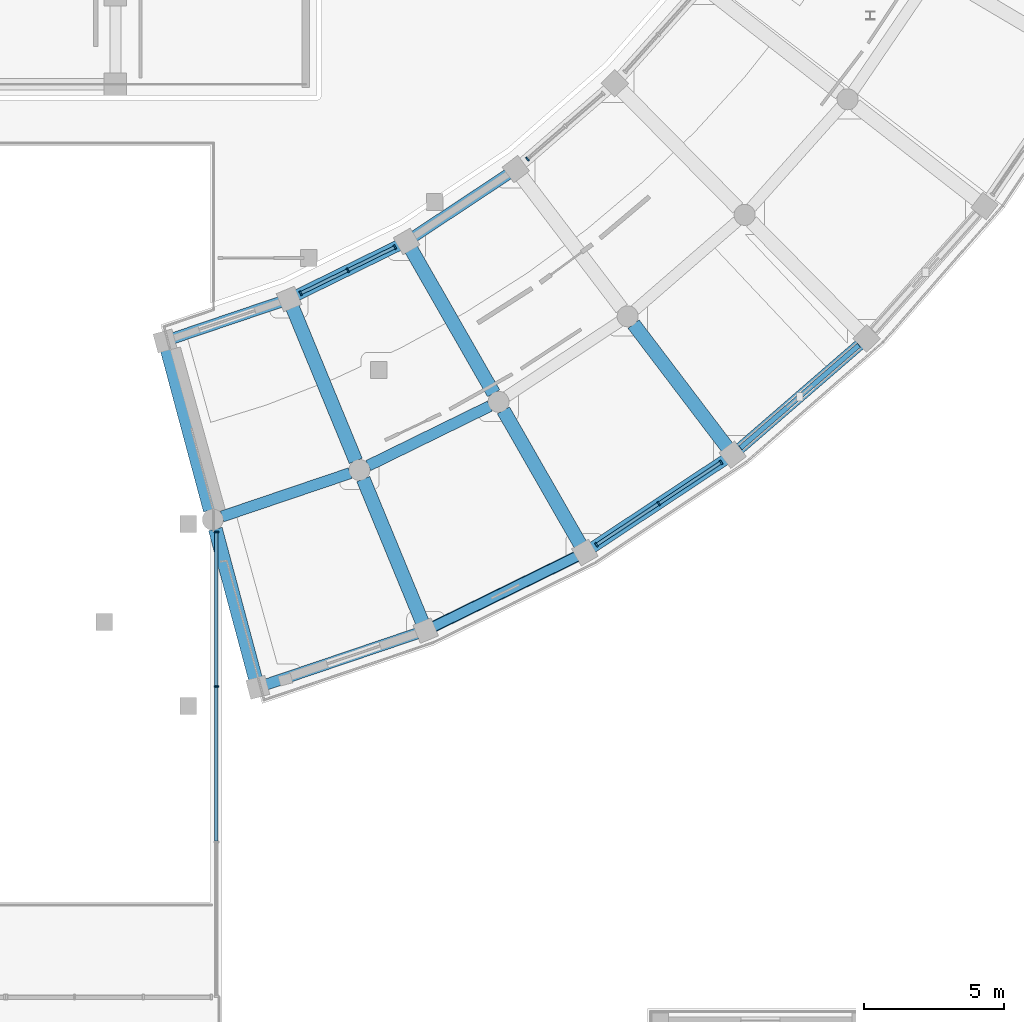
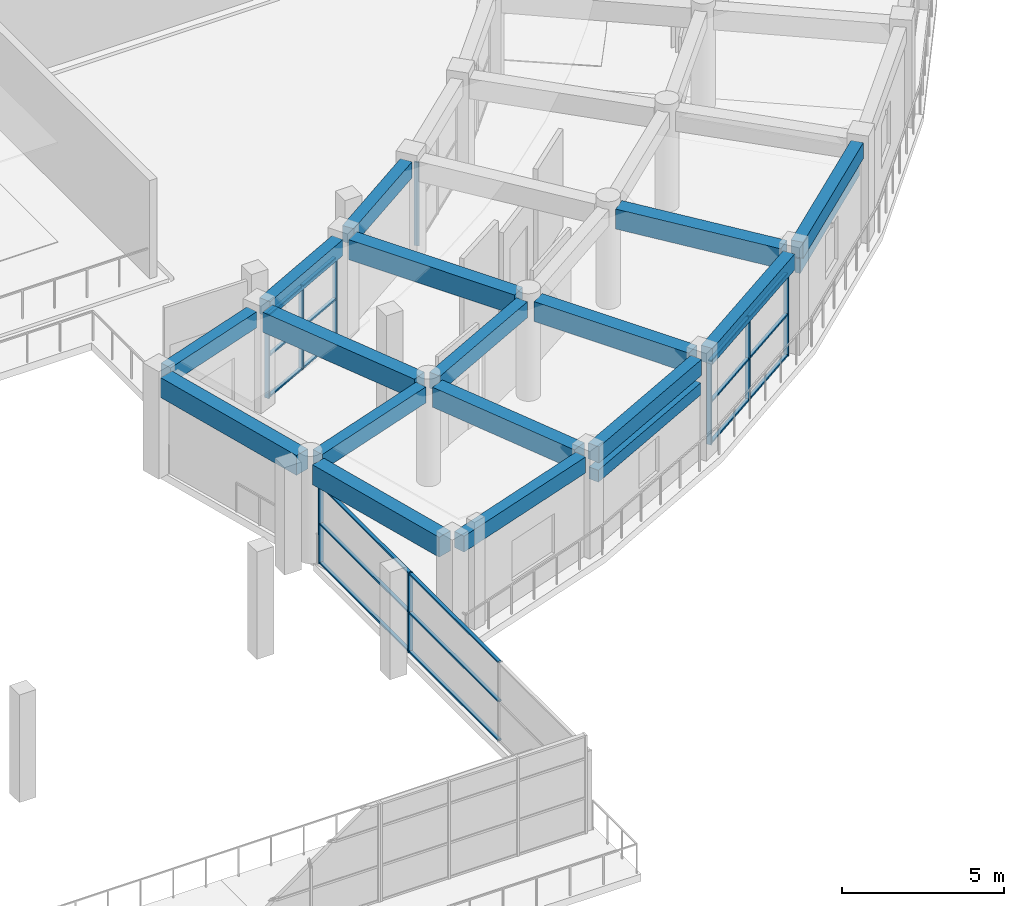
# One storey, part 22 of 87: 28 members, 17 beams, 4 elements without a shape of their own.
"""IFC4 building model written with IfcOpenShell, lengths in metres."""

import ifcopenshell
import ifcopenshell.guid

model = None  # the IFC model being written
_history = None  # IfcOwnerHistory: only IFC2X3 demands one
_inside = {}  # id of a spatial element -> (the spatial element, [elements in it])
_under = {}  # id of a project, library or spatial element -> (it, [spatial elements below it])
_declared = {}  # id of a project -> (the project, [libraries it declares])
_typed = {}  # id of a type object -> (the type object, [elements of that type])
_made_of = {}  # id of a material, layer set ... -> (it, [elements and type objects made of it])


def new_model(schema):
    """Start an empty IFC model of exactly this schema.

    Asked for "IFC4X3", IfcOpenShell would pick the latest addendum, in which some entities
    have other attributes; the version numbers below select the first issue.
    IFC2X3 requires an IfcOwnerHistory on every rooted entity: one is made here for all.
    """
    global model, _history
    if schema == "IFC4X3":
        model = ifcopenshell.file(schema_version=(4, 3, 0, 0))
    else:
        model = ifcopenshell.file(schema=schema)
    _inside.clear()
    _under.clear()
    _declared.clear()
    _typed.clear()
    _made_of.clear()
    _history = None
    if model.schema == "IFC2X3":
        org = make("IfcOrganization", Name="unknown")
        user = make(
            "IfcPersonAndOrganization",
            ThePerson=make("IfcPerson", FamilyName="unknown"),
            TheOrganization=org,
        )
        app = make(
            "IfcApplication",
            ApplicationDeveloper=org,
            Version="unknown",
            ApplicationFullName="unknown",
            ApplicationIdentifier="unknown",
        )
        _history = make(
            "IfcOwnerHistory",
            OwningUser=user,
            OwningApplication=app,
            ChangeAction="ADDED",
            CreationDate=0,
        )
    return model


def make(cls, **values):
    """One entity of the class cls with the attributes given. An attribute that is None is left unset."""
    return model.create_entity(
        cls, **{name: value for name, value in values.items() if value is not None}
    )


def rooted(cls, **values):
    """An entity with a GlobalId (a new one), such as an element, a storey or a relation."""
    return make(cls, GlobalId=ifcopenshell.guid.new(), OwnerHistory=_history, **values)


def si_unit(unit_type, name, prefix=None):
    """IfcSIUnit, for example si_unit("LENGTHUNIT", "METRE", prefix="MILLI")."""
    return make("IfcSIUnit", UnitType=unit_type, Prefix=prefix, Name=name)


def assignment(units):
    """IfcUnitAssignment: the units of a project."""
    return None if units is None else make("IfcUnitAssignment", Units=units)


def point(xyz):
    """IfcCartesianPoint."""
    return None if xyz is None else make("IfcCartesianPoint", Coordinates=xyz)


def direction(xyz):
    """IfcDirection."""
    return None if xyz is None else make("IfcDirection", DirectionRatios=xyz)


def frame(location, z_axis=None, x_axis=None):
    """IfcAxis2Placement3D, a coordinate frame: its origin and axes. An axis left out is left unset."""
    return make(
        "IfcAxis2Placement3D",
        Location=point(location),
        Axis=direction(z_axis),
        RefDirection=direction(x_axis),
    )


def frame_2d(location, x_axis=None):
    """IfcAxis2Placement2D, a coordinate frame in the plane: its origin and x axis."""
    return make(
        "IfcAxis2Placement2D", Location=point(location), RefDirection=direction(x_axis)
    )


def origin():
    """The frame at (0, 0, 0) with its axes left unset."""
    return frame((0.0, 0.0, 0.0))


def origin_2d():
    """The frame at (0, 0) in the plane with its x axis left unset."""
    return frame_2d((0.0, 0.0))


def place(relative_to, where):
    """IfcLocalPlacement: puts the frame where relative to a parent placement (None: the world)."""
    return make(
        "IfcLocalPlacement", PlacementRelTo=relative_to, RelativePlacement=where
    )


def context(
    kind, dimensions, precision=None, world=None, true_north=None, identifier=None
):
    """IfcGeometricRepresentationContext, for example the 3D "Model" context."""
    return make(
        "IfcGeometricRepresentationContext",
        ContextIdentifier=identifier,
        ContextType=kind,
        CoordinateSpaceDimension=dimensions,
        Precision=precision,
        WorldCoordinateSystem=world,
        TrueNorth=true_north,
    )


def subcontext(parent, identifier, kind, view, scale=None):
    """IfcGeometricRepresentationSubContext, for example "Body" below "Model"."""
    return make(
        "IfcGeometricRepresentationSubContext",
        ContextIdentifier=identifier,
        ContextType=kind,
        ParentContext=parent,
        TargetScale=scale,
        TargetView=view,
    )


def project(units=None, contexts=None):
    """IfcProject with its units and contexts."""
    return rooted(
        "IfcProject",
        Name="project",
        RepresentationContexts=contexts,
        UnitsInContext=assignment(units),
    )


def spatial(cls, under=None, at=None, **own):
    """A site, building, storey or space (cls), placed at a placement, below another one or the project."""
    s = rooted(cls, ObjectPlacement=at, **own)
    if under is not None:
        _under.setdefault(under.id(), (under, []))[1].append(s)
    return s


def profile(cls, at=None, kind="AREA", **sizes):
    """A parametric profile (cls). Its sizes go by their IFC names, for example OverallWidth=200.0."""
    return make(cls, ProfileType=kind, Position=at, **sizes)


def rectangle(**sizes):
    """IfcRectangleProfileDef."""
    return profile("IfcRectangleProfileDef", **sizes)


def extrude(swept, where, along, depth):
    """IfcExtrudedAreaSolid: the profile swept, set in the frame where, extruded along a direction by depth."""
    return make(
        "IfcExtrudedAreaSolid",
        SweptArea=swept,
        Position=where,
        ExtrudedDirection=direction(along),
        Depth=depth,
    )


def shape(context_of_items, identifier, shape_type, items):
    """IfcShapeRepresentation: the items that make up one representation, for example the "Body"."""
    return make(
        "IfcShapeRepresentation",
        ContextOfItems=context_of_items,
        RepresentationIdentifier=identifier,
        RepresentationType=shape_type,
        Items=items,
    )


def material(Name=None, Category=None):
    """IfcMaterial."""
    return make("IfcMaterial", Name=Name, Category=Category)


def material_profile(
    of_material, cross_section, Name=None, Category=None, Priority=None
):
    """IfcMaterialProfile: a cross section and its material."""
    return make(
        "IfcMaterialProfile",
        Name=Name,
        Material=of_material,
        Profile=cross_section,
        Priority=Priority,
        Category=Category,
    )


def profile_set(profiles, Name=None, composite=None):
    """IfcMaterialProfileSet."""
    return make(
        "IfcMaterialProfileSet",
        Name=Name,
        MaterialProfiles=profiles,
        CompositeProfile=composite,
    )


def made_of(thing, what):
    """Note that an element or type object is made of a material, layer set ...; save() writes the relation."""
    if what is not None:
        _made_of.setdefault(what.id(), (what, []))[1].append(thing)
    return thing


def type_object(cls, material=None, **own):
    """A type object (cls), such as IfcWallType, which elements share."""
    return made_of(rooted(cls, **own), material)


def element(
    cls,
    number,
    at=None,
    inside=None,
    cuts=None,
    type_object=None,
    material=None,
    context=None,
    identifier="Body",
    shape_type=None,
    held_by="IfcProductDefinitionShape",
    body=None,
    shapes=None,
    **own,
):
    """One element of the class cls, such as IfcWall. Its Tag is "e" and its number.

    at: its placement. inside: the storey or other place that contains it. cuts: it is an
    opening in that element (IfcRelVoidsElement). A single representation is given by context,
    identifier, shape_type and body (its items); several are given by shapes. held_by: the class
    of the entity that holds the representations. save() writes the other relations.
    """
    e = rooted(cls, Tag="e%d" % number, ObjectPlacement=at, **own)
    if body is not None:
        shapes = [shape(context, identifier, shape_type, body)]
    if shapes is not None:
        e.Representation = make(held_by, Representations=shapes)
    if inside is not None:
        _inside.setdefault(inside.id(), (inside, []))[1].append(e)
    if cuts is not None:
        rooted(
            "IfcRelVoidsElement", RelatingBuildingElement=cuts, RelatedOpeningElement=e
        )
    if type_object is not None:
        _typed.setdefault(type_object.id(), (type_object, []))[1].append(e)
    return made_of(e, material)


def aggregate(whole, parts):
    """IfcRelAggregates: a whole, such as a stair, and the parts it consists of."""
    return rooted("IfcRelAggregates", RelatingObject=whole, RelatedObjects=parts)


def save(model, path):
    """Write the relations noted so far, then the file.

    IfcRelAggregates (storeys below a building ...), IfcRelContainedInSpatialStructure (elements
    in a storey), IfcRelDefinesByType, IfcRelAssociatesMaterial and IfcRelDeclares: one each for
    every whole, place, type object, material and project.
    """
    for whole, parts in _under.values():
        aggregate(whole, parts)
    for where, things in _inside.values():
        rooted(
            "IfcRelContainedInSpatialStructure",
            RelatedElements=things,
            RelatingStructure=where,
        )
    for kind, things in _typed.values():
        rooted("IfcRelDefinesByType", RelatedObjects=things, RelatingType=kind)
    for what, things in _made_of.values():
        rooted("IfcRelAssociatesMaterial", RelatedObjects=things, RelatingMaterial=what)
    for by, libraries in _declared.values():
        rooted("IfcRelDeclares", RelatingContext=by, RelatedDefinitions=libraries)
    model.write(path)


model = new_model("IFC4")

# Units and contexts
model_context = context("Model", 3, precision=1e-05, world=origin(), true_north=direction((0.0, 1.0)))
body_context = subcontext(model_context, "Body", "Model", "MODEL_VIEW")
ifc_project = project(units=[si_unit("LENGTHUNIT", "METRE"), si_unit("AREAUNIT", "SQUARE_METRE"), si_unit("VOLUMEUNIT", "CUBIC_METRE"), si_unit("PLANEANGLEUNIT", "RADIAN"), si_unit("MASSUNIT", "GRAM", prefix="KILO")], contexts=[model_context])

# Site, building, storey
site_placement = place(None, origin())
site = spatial("IfcSite", under=ifc_project, at=site_placement, CompositionType="ELEMENT")
building_placement = place(site_placement, origin())
building = spatial("IfcBuilding", under=site, at=building_placement, Name="Saryqyr Civic Hall", CompositionType="ELEMENT")
storey_placement = place(building_placement, frame((0.0, 0.0, 5.10009765625)))
storey = spatial("IfcBuildingStorey", under=building, at=storey_placement, Name="L01", CompositionType="ELEMENT", Elevation=5.10009765625)

# Curtain wall, members
ifc_material_1 = material(Name="Anodised aluminium and triple low-E glass", Category="aluminium")
curtain_wall_type_1 = type_object("IfcCurtainWallType", Name="ENV-CW-STD-20", PredefinedType="NOTDEFINED", material=ifc_material_1)
curtain_wall_1_placement = place(storey_placement, origin())
curtain_wall_1 = element("IfcCurtainWall", 1, at=curtain_wall_1_placement, inside=storey, type_object=curtain_wall_type_1, Name="Curtain wall V5-CWI-L01-01", PredefinedType="NOTDEFINED")
ifc_material_2 = material(Name="Anodised aluminium", Category="aluminium")
ifc_material_profile_1 = material_profile(ifc_material_2, rectangle(XDim=0.06005859375, YDim=0.159912109375, at=origin_2d()), Name="ALU MULLION 60x160")
ifc_profile_set_1 = profile_set([ifc_material_profile_1], Name="Anodised aluminium")
member_type_1 = type_object("IfcMemberType", Name="ENV-CW-MUL-180", PredefinedType="MULLION", material=ifc_profile_set_1)
member_1_placement = place(storey_placement, frame((71.214599609375, 50.73681640625, 0.0), z_axis=(0.0, 0.0, 1.0), x_axis=(0.897961027851, 0.440074985043, 0.0)))
member_1 = element("IfcMember", 2, at=member_1_placement, type_object=member_type_1, Name="CW-20 mullion 1", PredefinedType="MULLION", context=body_context, shape_type="SweptSolid", body=[
    extrude(rectangle(XDim=0.06005859375, YDim=0.159912109375, at=origin_2d()), origin(), (0.0, 0.0, 1.0), 3.14501953125),
])
member_2_placement = place(storey_placement, frame((72.896728515625, 51.561279296875, 0.0), z_axis=(0.0, 0.0, 1.0), x_axis=(0.897961027851, 0.440074985043, 0.0)))
member_2 = element("IfcMember", 3, at=member_2_placement, type_object=member_type_1, Name="CW-20 mullion 2", PredefinedType="MULLION", context=body_context, shape_type="SweptSolid", body=[
    extrude(rectangle(XDim=0.06005859375, YDim=0.159912109375, at=origin_2d()), origin(), (0.0, 0.0, 1.0), 3.14501953125),
])
member_3_placement = place(storey_placement, frame((74.578857421875, 52.3857421875, 0.0), z_axis=(0.0, 0.0, 1.0), x_axis=(0.897961027851, 0.440074985043, 0.0)))
member_3 = element("IfcMember", 4, at=member_3_placement, type_object=member_type_1, Name="CW-20 mullion 3", PredefinedType="MULLION", context=body_context, shape_type="SweptSolid", body=[
    extrude(rectangle(XDim=0.06005859375, YDim=0.159912109375, at=origin_2d()), origin(), (0.0, 0.0, 1.0), 3.14501953125),
])

curtain_wall_type_2 = type_object("IfcCurtainWallType", Name="ENV-CW-STD-36", PredefinedType="NOTDEFINED", material=ifc_material_1)
curtain_wall_2_placement = place(storey_placement, origin())
curtain_wall_2 = element("IfcCurtainWall", 5, at=curtain_wall_2_placement, inside=storey, type_object=curtain_wall_type_2, Name="Curtain wall V5-CWO-L01-02", PredefinedType="NOTDEFINED")
member_4_placement = place(storey_placement, frame((86.220703125, 44.702880859375, 0.0), z_axis=(0.0, 0.0, 1.0), x_axis=(-0.833772163612, -0.552108666103, 0.0)))
member_4 = element("IfcMember", 6, at=member_4_placement, type_object=member_type_1, Name="CW-36 mullion 1", PredefinedType="MULLION", context=body_context, shape_type="SweptSolid", body=[
    extrude(rectangle(XDim=0.06005859375, YDim=0.159912109375, at=origin_2d()), origin(), (0.0, 0.0, 1.0), 3.14501953125),
])
member_5_placement = place(storey_placement, frame((83.997314453125, 43.230712890625, 0.0), z_axis=(0.0, 0.0, 1.0), x_axis=(-0.833772163612, -0.552108666103, 0.0)))
member_5 = element("IfcMember", 7, at=member_5_placement, type_object=member_type_1, Name="CW-36 mullion 2", PredefinedType="MULLION", context=body_context, shape_type="SweptSolid", body=[
    extrude(rectangle(XDim=0.06005859375, YDim=0.159912109375, at=origin_2d()), origin(), (0.0, 0.0, 1.0), 3.14501953125),
])
member_6_placement = place(storey_placement, frame((81.774169921875, 41.758544921875, 0.0), z_axis=(0.0, 0.0, 1.0), x_axis=(-0.833772163612, -0.552108666103, 0.0)))
member_6 = element("IfcMember", 8, at=member_6_placement, type_object=member_type_1, Name="CW-36 mullion 3", PredefinedType="MULLION", context=body_context, shape_type="SweptSolid", body=[
    extrude(rectangle(XDim=0.06005859375, YDim=0.159912109375, at=origin_2d()), origin(), (0.0, 0.0, 1.0), 3.14501953125),
])

# Curtain wall, member
curtain_wall_type_3 = type_object("IfcCurtainWallType", Name="ENV-CW-STD-37", PredefinedType="NOTDEFINED", material=ifc_material_1)
curtain_wall_3_placement = place(storey_placement, origin())
curtain_wall_3 = element("IfcCurtainWall", 9, at=curtain_wall_3_placement, inside=storey, type_object=curtain_wall_type_3, Name="Curtain wall V5-CWI-L01-03", PredefinedType="NOTDEFINED")
member_7_placement = place(storey_placement, frame((79.306640625, 55.529052734375, 0.0), z_axis=(0.0, 0.0, 1.0), x_axis=(0.755641079995, 0.654985922157, 0.0)))
member_7 = element("IfcMember", 10, at=member_7_placement, type_object=member_type_1, Name="CW-37 mullion 1", PredefinedType="MULLION", context=body_context, shape_type="SweptSolid", body=[
    extrude(rectangle(XDim=0.06005859375, YDim=0.159912109375, at=origin_2d()), origin(), (0.0, 0.0, 1.0), 3.14501953125),
])
aggregate(curtain_wall_3, [member_7])

# Curtain wall, members
curtain_wall_type_4 = type_object("IfcCurtainWallType", Name="ENV-CW-STD-71", PredefinedType="NOTDEFINED", material=ifc_material_1)
curtain_wall_4_placement = place(storey_placement, origin())
curtain_wall_4 = element("IfcCurtainWall", 11, at=curtain_wall_4_placement, inside=storey, type_object=curtain_wall_type_4, Name="Curtain wall V2-VESTFLK-SE-L01", PredefinedType="NOTDEFINED")
member_8_placement = place(storey_placement, frame((68.199951171875, 42.21337890625, 0.0), z_axis=(0.0, 0.0, 1.0), x_axis=(0.0, -1.0, 0.0)))
member_8 = element("IfcMember", 12, at=member_8_placement, type_object=member_type_1, Name="CW-71 mullion 1", PredefinedType="MULLION", context=body_context, shape_type="SweptSolid", body=[
    extrude(rectangle(XDim=0.06005859375, YDim=0.159912109375, at=origin_2d()), origin(), (0.0, 0.0, 1.0), 2.994873046875),
])
member_9_placement = place(storey_placement, frame((68.199951171875, 36.698974609375, 0.0), z_axis=(0.0, 0.0, 1.0), x_axis=(0.0, -1.0, 0.0)))
member_9 = element("IfcMember", 13, at=member_9_placement, type_object=member_type_1, Name="CW-71 mullion 2", PredefinedType="MULLION", context=body_context, shape_type="SweptSolid", body=[
    extrude(rectangle(XDim=0.06005859375, YDim=0.159912109375, at=origin_2d()), origin(), (0.0, 0.0, 1.0), 2.994873046875),
])

# Member
ifc_material_profile_2 = material_profile(ifc_material_2, rectangle(XDim=0.1201171875, YDim=0.06005859375, at=origin_2d()), Name="ALU TRANSOM 120x60")
ifc_profile_set_2 = profile_set([ifc_material_profile_2], Name="Anodised aluminium")
member_type_2 = type_object("IfcMemberType", Name="ENV-CW-TRN-150", PredefinedType="USERDEFINED", material=ifc_profile_set_2)
member_10_placement = place(storey_placement, frame((71.24169921875, 50.75, 0.02978515625), z_axis=(0.89792698311, 0.440144445612, 0.0), x_axis=(-0.440144445612, 0.89792698311, 0.0)))
member_10 = element("IfcMember", 14, at=member_10_placement, type_object=member_type_2, Name="CW-20 transom 1.1", ObjectType="TRANSOM", PredefinedType="USERDEFINED", context=body_context, shape_type="SweptSolid", body=[
    extrude(rectangle(XDim=0.1201171875, YDim=0.06005859375, at=origin_2d()), origin(), (0.0, 0.0, 1.0), 1.813232421875),
])

member_11_placement = place(storey_placement, frame((71.24169921875, 50.75, 1.572021484375), z_axis=(0.89792698311, 0.440144445612, 0.0), x_axis=(-0.440144445612, 0.89792698311, 0.0)))
member_11 = element("IfcMember", 15, at=member_11_placement, type_object=member_type_2, Name="CW-20 transom 1.2", ObjectType="TRANSOM", PredefinedType="USERDEFINED", context=body_context, shape_type="SweptSolid", body=[
    extrude(rectangle(XDim=0.1201171875, YDim=0.06005859375, at=origin_2d()), origin(), (0.0, 0.0, 1.0), 1.813232421875),
])

member_12_placement = place(storey_placement, frame((71.24169921875, 50.75, 3.114990234375), z_axis=(0.89792698311, 0.440144445612, 0.0), x_axis=(-0.440144445612, 0.89792698311, 0.0)))
member_12 = element("IfcMember", 16, at=member_12_placement, type_object=member_type_2, Name="CW-20 transom 1.3", ObjectType="TRANSOM", PredefinedType="USERDEFINED", context=body_context, shape_type="SweptSolid", body=[
    extrude(rectangle(XDim=0.1201171875, YDim=0.06005859375, at=origin_2d()), origin(), (0.0, 0.0, 1.0), 1.813232421875),
])

member_13_placement = place(storey_placement, frame((72.923828125, 51.574462890625, 0.02978515625), z_axis=(0.89792698311, 0.440144445612, 0.0), x_axis=(-0.440144445612, 0.89792698311, 0.0)))
member_13 = element("IfcMember", 17, at=member_13_placement, type_object=member_type_2, Name="CW-20 transom 2.1", ObjectType="TRANSOM", PredefinedType="USERDEFINED", context=body_context, shape_type="SweptSolid", body=[
    extrude(rectangle(XDim=0.1201171875, YDim=0.06005859375, at=origin_2d()), origin(), (0.0, 0.0, 1.0), 1.813232421875),
])

member_14_placement = place(storey_placement, frame((72.923828125, 51.574462890625, 1.572021484375), z_axis=(0.89792698311, 0.440144445612, 0.0), x_axis=(-0.440144445612, 0.89792698311, 0.0)))
member_14 = element("IfcMember", 18, at=member_14_placement, type_object=member_type_2, Name="CW-20 transom 2.2", ObjectType="TRANSOM", PredefinedType="USERDEFINED", context=body_context, shape_type="SweptSolid", body=[
    extrude(rectangle(XDim=0.1201171875, YDim=0.06005859375, at=origin_2d()), origin(), (0.0, 0.0, 1.0), 1.813232421875),
])

member_15_placement = place(storey_placement, frame((72.923828125, 51.574462890625, 3.114990234375), z_axis=(0.89792698311, 0.440144445612, 0.0), x_axis=(-0.440144445612, 0.89792698311, 0.0)))
member_15 = element("IfcMember", 19, at=member_15_placement, type_object=member_type_2, Name="CW-20 transom 2.3", ObjectType="TRANSOM", PredefinedType="USERDEFINED", context=body_context, shape_type="SweptSolid", body=[
    extrude(rectangle(XDim=0.1201171875, YDim=0.06005859375, at=origin_2d()), origin(), (0.0, 0.0, 1.0), 1.813232421875),
])

aggregate(curtain_wall_1, [member_1, member_2, member_3, member_10, member_11, member_12, member_13, member_14, member_15])

member_16_placement = place(storey_placement, frame((86.195556640625, 44.686279296875, 0.02978515625), z_axis=(-0.833775582343, -0.552103503239, 0.0), x_axis=(0.552103503239, -0.833775582343, 0.0)))
member_16 = element("IfcMember", 20, at=member_16_placement, type_object=member_type_2, Name="CW-36 transom 1.1", ObjectType="TRANSOM", PredefinedType="USERDEFINED", context=body_context, shape_type="SweptSolid", body=[
    extrude(rectangle(XDim=0.1201171875, YDim=0.06005859375, at=origin_2d()), origin(), (0.0, 0.0, 1.0), 2.6064453125),
])

member_17_placement = place(storey_placement, frame((86.195556640625, 44.686279296875, 1.572021484375), z_axis=(-0.833775582343, -0.552103503239, 0.0), x_axis=(0.552103503239, -0.833775582343, 0.0)))
member_17 = element("IfcMember", 21, at=member_17_placement, type_object=member_type_2, Name="CW-36 transom 1.2", ObjectType="TRANSOM", PredefinedType="USERDEFINED", context=body_context, shape_type="SweptSolid", body=[
    extrude(rectangle(XDim=0.1201171875, YDim=0.06005859375, at=origin_2d()), origin(), (0.0, 0.0, 1.0), 2.6064453125),
])

member_18_placement = place(storey_placement, frame((86.195556640625, 44.686279296875, 3.114990234375), z_axis=(-0.833775582343, -0.552103503239, 0.0), x_axis=(0.552103503239, -0.833775582343, 0.0)))
member_18 = element("IfcMember", 22, at=member_18_placement, type_object=member_type_2, Name="CW-36 transom 1.3", ObjectType="TRANSOM", PredefinedType="USERDEFINED", context=body_context, shape_type="SweptSolid", body=[
    extrude(rectangle(XDim=0.1201171875, YDim=0.06005859375, at=origin_2d()), origin(), (0.0, 0.0, 1.0), 2.6064453125),
])

member_19_placement = place(storey_placement, frame((83.972412109375, 43.214111328125, 0.02978515625), z_axis=(-0.833804131974, -0.55206038574, 0.0), x_axis=(0.55206038574, -0.833804131974, 0.0)))
member_19 = element("IfcMember", 23, at=member_19_placement, type_object=member_type_2, Name="CW-36 transom 2.1", ObjectType="TRANSOM", PredefinedType="USERDEFINED", context=body_context, shape_type="SweptSolid", body=[
    extrude(rectangle(XDim=0.1201171875, YDim=0.06005859375, at=origin_2d()), origin(), (0.0, 0.0, 1.0), 2.6064453125),
])

member_20_placement = place(storey_placement, frame((83.972412109375, 43.214111328125, 1.572021484375), z_axis=(-0.833804131974, -0.55206038574, 0.0), x_axis=(0.55206038574, -0.833804131974, 0.0)))
member_20 = element("IfcMember", 24, at=member_20_placement, type_object=member_type_2, Name="CW-36 transom 2.2", ObjectType="TRANSOM", PredefinedType="USERDEFINED", context=body_context, shape_type="SweptSolid", body=[
    extrude(rectangle(XDim=0.1201171875, YDim=0.06005859375, at=origin_2d()), origin(), (0.0, 0.0, 1.0), 2.6064453125),
])

member_21_placement = place(storey_placement, frame((83.972412109375, 43.214111328125, 3.114990234375), z_axis=(-0.833804131974, -0.55206038574, 0.0), x_axis=(0.55206038574, -0.833804131974, 0.0)))
member_21 = element("IfcMember", 25, at=member_21_placement, type_object=member_type_2, Name="CW-36 transom 2.3", ObjectType="TRANSOM", PredefinedType="USERDEFINED", context=body_context, shape_type="SweptSolid", body=[
    extrude(rectangle(XDim=0.1201171875, YDim=0.06005859375, at=origin_2d()), origin(), (0.0, 0.0, 1.0), 2.6064453125),
])

aggregate(curtain_wall_2, [member_4, member_5, member_6, member_16, member_17, member_18, member_19, member_20, member_21])

member_22_placement = place(storey_placement, frame((68.199951171875, 42.183349609375, 0.02978515625), z_axis=(0.0, -1.0, 0.0), x_axis=(1.0, 0.0, 0.0)))
member_22 = element("IfcMember", 26, at=member_22_placement, type_object=member_type_2, Name="CW-71 transom 1.1", ObjectType="TRANSOM", PredefinedType="USERDEFINED", context=body_context, shape_type="SweptSolid", body=[
    extrude(rectangle(XDim=0.1201171875, YDim=0.06005859375, at=origin_2d()), origin(), (0.0, 0.0, 1.0), 5.454345703125),
])

member_23_placement = place(storey_placement, frame((68.199951171875, 42.183349609375, 1.497802734375), z_axis=(0.0, -1.0, 0.0), x_axis=(1.0, 0.0, 0.0)))
member_23 = element("IfcMember", 27, at=member_23_placement, type_object=member_type_2, Name="CW-71 transom 1.2", ObjectType="TRANSOM", PredefinedType="USERDEFINED", context=body_context, shape_type="SweptSolid", body=[
    extrude(rectangle(XDim=0.1201171875, YDim=0.06005859375, at=origin_2d()), origin(), (0.0, 0.0, 1.0), 5.454345703125),
])

member_24_placement = place(storey_placement, frame((68.199951171875, 42.183349609375, 2.96484375), z_axis=(0.0, -1.0, 0.0), x_axis=(1.0, 0.0, 0.0)))
member_24 = element("IfcMember", 28, at=member_24_placement, type_object=member_type_2, Name="CW-71 transom 1.3", ObjectType="TRANSOM", PredefinedType="USERDEFINED", context=body_context, shape_type="SweptSolid", body=[
    extrude(rectangle(XDim=0.1201171875, YDim=0.06005859375, at=origin_2d()), origin(), (0.0, 0.0, 1.0), 5.454345703125),
])

member_25_placement = place(storey_placement, frame((68.199951171875, 36.6689453125, 0.02978515625), z_axis=(0.0, -1.0, 0.0), x_axis=(1.0, 0.0, 0.0)))
member_25 = element("IfcMember", 29, at=member_25_placement, type_object=member_type_2, Name="CW-71 transom 2.1", ObjectType="TRANSOM", PredefinedType="USERDEFINED", context=body_context, shape_type="SweptSolid", body=[
    extrude(rectangle(XDim=0.1201171875, YDim=0.06005859375, at=origin_2d()), origin(), (0.0, 0.0, 1.0), 5.484375),
])

member_26_placement = place(storey_placement, frame((68.199951171875, 36.6689453125, 1.497802734375), z_axis=(0.0, -1.0, 0.0), x_axis=(1.0, 0.0, 0.0)))
member_26 = element("IfcMember", 30, at=member_26_placement, type_object=member_type_2, Name="CW-71 transom 2.2", ObjectType="TRANSOM", PredefinedType="USERDEFINED", context=body_context, shape_type="SweptSolid", body=[
    extrude(rectangle(XDim=0.1201171875, YDim=0.06005859375, at=origin_2d()), origin(), (0.0, 0.0, 1.0), 5.484375),
])

member_27_placement = place(storey_placement, frame((68.199951171875, 36.6689453125, 2.96484375), z_axis=(0.0, -1.0, 0.0), x_axis=(1.0, 0.0, 0.0)))
member_27 = element("IfcMember", 31, at=member_27_placement, type_object=member_type_2, Name="CW-71 transom 2.3", ObjectType="TRANSOM", PredefinedType="USERDEFINED", context=body_context, shape_type="SweptSolid", body=[
    extrude(rectangle(XDim=0.1201171875, YDim=0.06005859375, at=origin_2d()), origin(), (0.0, 0.0, 1.0), 5.484375),
])

aggregate(curtain_wall_4, [member_8, member_9, member_22, member_23, member_24, member_25, member_26, member_27])

ifc_material_3 = material(Name="Precast concrete C40/50", Category="concrete")
ifc_material_profile_3 = material_profile(ifc_material_3, rectangle(XDim=0.179931640625, YDim=0.550048828125, at=origin_2d()), Name="PC FIN 180x550")
ifc_profile_set_3 = profile_set([ifc_material_profile_3], Name="Precast concrete C40/50")
member_type_3 = type_object("IfcMemberType", Name="ENV-FIN-PC550", PredefinedType="USERDEFINED", material=ifc_profile_set_3)
member_28_placement = place(storey_placement, frame((86.913818359375, 45.21875, 2.81982421875), z_axis=(0.755648749042, 0.654977074463, 0.0), x_axis=(-0.654977074463, 0.755648749042, 0.0)))
element("IfcMember", 32, at=member_28_placement, inside=storey, type_object=member_type_3, Name="Precast horizontal solar brise-soleil fin V5-L01-03", ObjectType="SOLAR_FIN", PredefinedType="USERDEFINED", context=body_context, shape_type="SweptSolid", body=[
    extrude(rectangle(XDim=0.179931640625, YDim=0.550048828125, at=origin_2d()), origin(), (0.0, 0.0, 1.0), 5.59228515625),
])

# Beams
ifc_material_4 = material(Name="Concrete C35/45", Category="concrete")
ifc_material_profile_4 = material_profile(ifc_material_4, rectangle(XDim=0.39990234375, YDim=0.60009765625, at=origin_2d()), Name="RC 400x600")
ifc_profile_set_4 = profile_set([ifc_material_profile_4], Name="Concrete C35/45")
beam_type_1 = type_object("IfcBeamType", Name="STR-BM-RC400x600", PredefinedType="BEAM", material=ifc_profile_set_4)
for number, where, z_axis, x_axis, name in (
    (33, (68.408935546875, 42.7705078125, 3.469970703125), (0.947191159228, 0.320669468268, 0.0), (-0.320669468268, 0.947191159228, 0.0), "Beam V5-CBM-MID00-L01"),
    (34, (73.627685546875, 44.5849609375, 3.469970703125), (0.897959126553, 0.440078864568, 0.0), (-0.440078864568, 0.897959126553, 0.0), "Beam V5-CBM-MID01-L01"),
):
    element("IfcBeam", number, at=place(storey_placement, frame(where, z_axis=z_axis, x_axis=x_axis)), inside=storey, type_object=beam_type_1, Name=name, PredefinedType="BEAM", context=body_context, shape_type="SweptSolid", body=[
        extrude(rectangle(XDim=0.39990234375, YDim=0.60009765625, at=origin_2d()), origin(), (0.0, 0.0, 1.0), 4.82763671875),
    ])
ifc_material_profile_5 = material_profile(ifc_material_4, rectangle(XDim=0.39990234375, YDim=0.60009765625, at=origin_2d()), Name="RC 400x600")
ifc_profile_set_5 = profile_set([ifc_material_profile_5], Name="Concrete C35/45")
beam_type_2 = type_object("IfcBeamType", Name="STR-BM-RC400x600-EXT", PredefinedType="BEAM", material=ifc_profile_set_5)
beam_1_placement = place(storey_placement, frame((66.677001953125, 49.1376953125, 3.469970703125), z_axis=(0.947199251147, 0.320645565425, 0.0), x_axis=(-0.320645565425, 0.947199251147, 0.0)))
element("IfcBeam", 35, at=beam_1_placement, inside=storey, type_object=beam_type_2, Name="Beam V5-CBM-IN00-L01", PredefinedType="BEAM", context=body_context, shape_type="SweptSolid", body=[
    extrude(rectangle(XDim=0.39990234375, YDim=0.60009765625, at=origin_2d()), origin(), (0.0, 0.0, 1.0), 4.025634765625),
])
beam_2_placement = place(storey_placement, frame((69.989990234375, 36.773681640625, 3.469970703125), z_axis=(0.947185233553, 0.320686970953, 0.0), x_axis=(-0.320686970953, 0.947185233553, 0.0)))
element("IfcBeam", 36, at=beam_2_placement, inside=storey, type_object=beam_type_2, Name="Beam V5-CBM-OUT00-L01", PredefinedType="BEAM", context=body_context, shape_type="SweptSolid", body=[
    extrude(rectangle(XDim=0.39990234375, YDim=0.60009765625, at=origin_2d()), origin(), (0.0, 0.0, 1.0), 5.678466796875),
])
beam_3_placement = place(storey_placement, frame((71.089599609375, 50.675537109375, 3.469970703125), z_axis=(0.897953152011, 0.440091055116, 0.0), x_axis=(-0.440091055116, 0.897953152011, 0.0)))
element("IfcBeam", 37, at=beam_3_placement, inside=storey, type_object=beam_type_2, Name="Beam V5-CBM-IN01-L01", PredefinedType="BEAM", context=body_context, shape_type="SweptSolid", body=[
    extrude(rectangle(XDim=0.39990234375, YDim=0.60009765625, at=origin_2d()), origin(), (0.0, 0.0, 1.0), 4.025146484375),
])
beam_4_placement = place(storey_placement, frame((75.96826171875, 38.841796875, 3.469970703125), z_axis=(0.897958701712, 0.440079731434, 0.0), x_axis=(-0.440079731434, 0.897958701712, 0.0)))
element("IfcBeam", 38, at=beam_4_placement, inside=storey, type_object=beam_type_2, Name="Beam V5-CBM-OUT01-L01", PredefinedType="BEAM", context=body_context, shape_type="SweptSolid", body=[
    extrude(rectangle(XDim=0.39990234375, YDim=0.60009765625, at=origin_2d()), origin(), (0.0, 0.0, 1.0), 5.678466796875),
])
beam_5_placement = place(storey_placement, frame((75.266845703125, 52.769287109375, 3.469970703125), z_axis=(0.833744572827, 0.552150330328, 0.0), x_axis=(-0.552150330328, 0.833744572827, 0.0)))
element("IfcBeam", 39, at=beam_5_placement, inside=storey, type_object=beam_type_2, Name="Beam V5-CBM-IN02-L01", PredefinedType="BEAM", context=body_context, shape_type="SweptSolid", body=[
    extrude(rectangle(XDim=0.39990234375, YDim=0.60009765625, at=origin_2d()), origin(), (0.0, 0.0, 1.0), 4.025390625),
])
for number, where, z_axis, x_axis, name in (
    (40, (81.630126953125, 41.6630859375, 3.469970703125), (0.833752914837, 0.552137733722, 0.0), (-0.552137733722, 0.833752914837, 0.0), "Beam V5-CBM-OUT02-L01"),
    (41, (86.881103515625, 45.190673828125, 3.469970703125), (0.755657873282, 0.654966547655, 0.0), (-0.654966547655, 0.755657873282, 0.0), "Beam V5-CBM-OUT03-L01"),
):
    element("IfcBeam", number, at=place(storey_placement, frame(where, z_axis=z_axis, x_axis=x_axis)), inside=storey, type_object=beam_type_2, Name=name, PredefinedType="BEAM", context=body_context, shape_type="SweptSolid", body=[
        extrude(rectangle(XDim=0.39990234375, YDim=0.60009765625, at=origin_2d()), origin(), (0.0, 0.0, 1.0), 5.678466796875),
    ])
ifc_material_5 = material(Name="Concrete C40/50", Category="concrete")
ifc_material_profile_6 = material_profile(ifc_material_5, rectangle(XDim=0.5, YDim=0.75, at=origin_2d()), Name="RC 500x750")
ifc_profile_set_6 = profile_set([ifc_material_profile_6], Name="Concrete C40/50")
beam_type_3 = type_object("IfcBeamType", Name="STR-BM-RC500x750", PredefinedType="BEAM", material=ifc_profile_set_6)
beam_6_placement = place(storey_placement, frame((66.453369140625, 48.719482421875, 3.39501953125), z_axis=(0.258819159681, -0.965925795588, 0.0), x_axis=(0.965925795588, 0.258819159681, 0.0)))
element("IfcBeam", 42, at=beam_6_placement, inside=storey, type_object=beam_type_3, Name="Beam V5-RBM-A00-L01", PredefinedType="BEAM", context=body_context, shape_type="SweptSolid", body=[
    extrude(rectangle(XDim=0.5, YDim=0.75, at=origin_2d()), origin(), (0.0, 0.0, 1.0), 5.9248046875),
])
beam_7_placement = place(storey_placement, frame((68.168212890625, 42.3203125, 3.39501953125), z_axis=(0.258762589799, -0.965940951674, 0.0), x_axis=(0.965940951674, 0.258762589799, 0.0)))
element("IfcBeam", 43, at=beam_7_placement, inside=storey, type_object=beam_type_3, Name="Beam V5-RBM-B00-L01", PredefinedType="BEAM", context=body_context, shape_type="SweptSolid", body=[
    extrude(rectangle(XDim=0.5, YDim=0.75, at=origin_2d()), origin(), (0.0, 0.0, 1.0), 5.525146484375),
])
beam_8_placement = place(storey_placement, frame((70.921630859375, 50.232177734375, 3.39501953125), z_axis=(0.381145605897, -0.92451502265, 0.0), x_axis=(0.92451502265, 0.381145605897, 0.0)))
element("IfcBeam", 44, at=beam_8_placement, inside=storey, type_object=beam_type_3, Name="Beam V5-RBM-A01-L01", PredefinedType="BEAM", context=body_context, shape_type="SweptSolid", body=[
    extrude(rectangle(XDim=0.5, YDim=0.75, at=origin_2d()), origin(), (0.0, 0.0, 1.0), 5.925048828125),
])
beam_9_placement = place(storey_placement, frame((73.44677734375, 44.107421875, 3.39501953125), z_axis=(0.381129824342, -0.924521528682, 0.0), x_axis=(0.924521528682, 0.381129824342, 0.0)))
element("IfcBeam", 45, at=beam_9_placement, inside=storey, type_object=beam_type_3, Name="Beam V5-RBM-B01-L01", PredefinedType="BEAM", context=body_context, shape_type="SweptSolid", body=[
    extrude(rectangle(XDim=0.5, YDim=0.75, at=origin_2d()), origin(), (0.0, 0.0, 1.0), 5.52490234375),
])
beam_10_placement = place(storey_placement, frame((75.157470703125, 52.30810546875, 3.39501953125), z_axis=(0.497128149807, -0.867677130429, 0.0), x_axis=(0.867677130429, 0.497128149807, 0.0)))
element("IfcBeam", 46, at=beam_10_placement, inside=storey, type_object=beam_type_3, Name="Beam V5-RBM-A02-L01", PredefinedType="BEAM", context=body_context, shape_type="SweptSolid", body=[
    extrude(rectangle(XDim=0.5, YDim=0.75, at=origin_2d()), origin(), (0.0, 0.0, 1.0), 5.925048828125),
])
for number, where, z_axis, x_axis, name in (
    (47, (78.450927734375, 46.559814453125, 3.39501953125), (0.497099863993, -0.867693335931, 0.0), (0.867693335931, 0.497099863993, 0.0), "Beam V5-RBM-B02-L01"),
    (48, (83.097412109375, 49.63671875, 3.39501953125), (0.604789691, -0.796385226923, 0.0), (0.796385226923, 0.604789691, 0.0), "Beam V5-RBM-B03-L01"),
):
    element("IfcBeam", number, at=place(storey_placement, frame(where, z_axis=z_axis, x_axis=x_axis)), inside=storey, type_object=beam_type_3, Name=name, PredefinedType="BEAM", context=body_context, shape_type="SweptSolid", body=[
        extrude(rectangle(XDim=0.5, YDim=0.75, at=origin_2d()), origin(), (0.0, 0.0, 1.0), 5.525146484375),
    ])
ifc_material_profile_7 = material_profile(ifc_material_3, rectangle(XDim=0.35009765625, YDim=0.449951171875, at=origin_2d()), Name="RC 350x450")
ifc_profile_set_7 = profile_set([ifc_material_profile_7], Name="Precast concrete C40/50")
beam_type_4 = type_object("IfcBeamType", Name="STR-LIN-RC350x450", PredefinedType="LINTEL", material=ifc_profile_set_7)
beam_11_placement = place(storey_placement, frame((75.96826171875, 38.841796875, 2.65478515625), z_axis=(0.897958701712, 0.440079731434, 0.0), x_axis=(-0.440079731434, 0.897958701712, 0.0)))
element("IfcBeam", 49, at=beam_11_placement, inside=storey, type_object=beam_type_4, Name="Beam V5-LIN-01-L01", PredefinedType="LINTEL", context=body_context, shape_type="SweptSolid", body=[
    extrude(rectangle(XDim=0.35009765625, YDim=0.449951171875, at=origin_2d()), origin(), (0.0, 0.0, 1.0), 5.678466796875),
])

save(model, "model.ifc")
